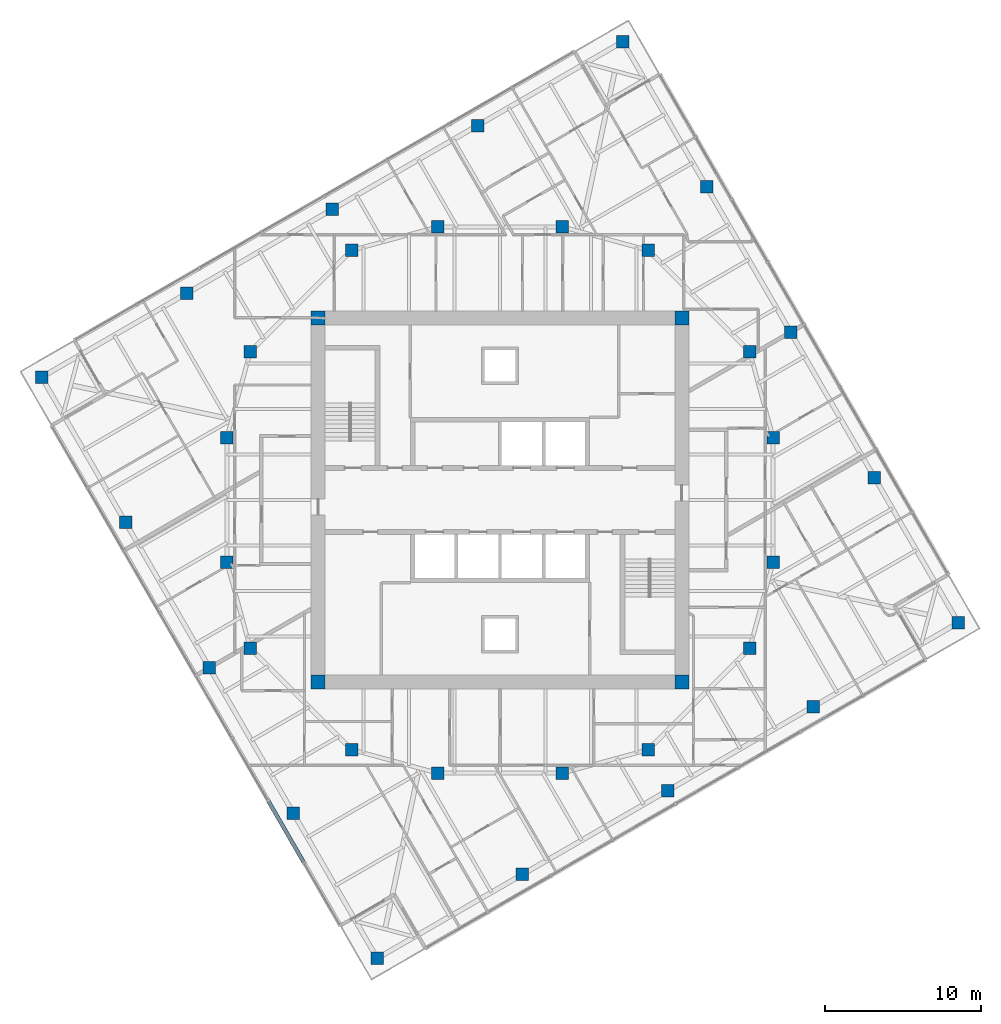
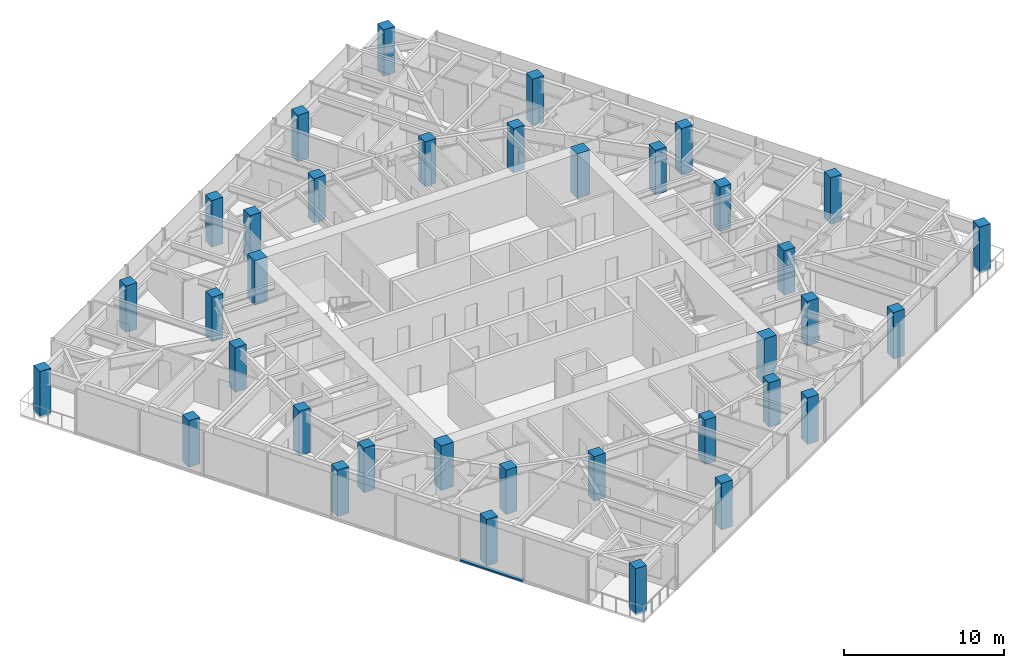
# One storey, part 1 of 13: 36 columns, 1 member, 1 element without a shape of its own.
"""IFC4 building model written with IfcOpenShell, lengths in metres."""

from ifc_helpers import new_model, si_unit, direction, frame, origin, origin_2d, place, context, subcontext, project, spatial, rectangle, extrude, material, material_profile, profile_set, type_object, element, aggregate, save


model = new_model("IFC4")

# Units and contexts
model_context = context("Model", 3, precision=1e-05, world=origin(), true_north=direction((0.0, 1.0)))
body_context = subcontext(model_context, "Body", "Model", "MODEL_VIEW")
ifc_project = project(units=[si_unit("LENGTHUNIT", "METRE"), si_unit("AREAUNIT", "SQUARE_METRE"), si_unit("VOLUMEUNIT", "CUBIC_METRE"), si_unit("PLANEANGLEUNIT", "RADIAN"), si_unit("MASSUNIT", "GRAM", prefix="KILO")], contexts=[model_context])

# Site, building, storey
site_placement = place(None, origin())
site = spatial("IfcSite", under=ifc_project, at=site_placement, CompositionType="ELEMENT")
building_placement = place(site_placement, origin())
building = spatial("IfcBuilding", under=site, at=building_placement, Name="Torsade Residences", CompositionType="ELEMENT")
storey_placement = place(building_placement, frame((0.0, 0.0, 208.199951171875)))
storey = spatial("IfcBuildingStorey", under=building, at=storey_placement, Name="L57", CompositionType="ELEMENT", Elevation=208.199951171875)

# Columns
ifc_material_1 = material(Name="Concrete 80 MPa", Category="concrete")
ifc_material_profile_1 = material_profile(ifc_material_1, rectangle(XDim=0.89990234375, YDim=0.89990234375, at=origin_2d()), Name="RC 900x900")
ifc_profile_set_1 = profile_set([ifc_material_profile_1], Name="Concrete 80 MPa")
column_type_1 = type_object("IfcColumnType", Name="CORE CORNER COLUMN RC 900x900", PredefinedType="COLUMN", material=ifc_profile_set_1)
for number, where, z_axis, x_axis, name in (
    (1, (28.35009765625, 18.35009765625, 0.0), (0.0, 0.0, 1.0), (1.0, 0.0, 0.0), "Core corner column CC1 L57"),
    (2, (51.64990234375, 18.35009765625, 0.0), (0.0, 0.0, 1.0), (1.0, 0.0, 0.0), "Core corner column CC2 L57"),
    (3, (51.64990234375, 41.64990234375, 0.0), (0.0, 0.0, 1.0), (1.0, 0.0, 0.0), "Core corner column CC3 L57"),
    (4, (28.35009765625, 41.64990234375, 0.0), (0.0, 0.0, 1.0), (1.0, 0.0, 0.0), "Core corner column CC4 L57"),
):
    element("IfcColumn", number, at=place(storey_placement, frame(where, z_axis=z_axis, x_axis=x_axis)), inside=storey, type_object=column_type_1, Name=name, PredefinedType="COLUMN", context=body_context, shape_type="SweptSolid", body=[
        extrude(rectangle(XDim=0.89990234375, YDim=0.89990234375, at=origin_2d()), origin(), (0.0, 0.0, 1.0), 3.400146484375),
    ])
ifc_material_2 = material(Name="Concrete 80 MPa", Category="concrete")
ifc_material_profile_2 = material_profile(ifc_material_2, rectangle(XDim=0.800048828125, YDim=0.800048828125, at=origin_2d()), Name="RC 800x800")
ifc_profile_set_2 = profile_set([ifc_material_profile_2], Name="Concrete 80 MPa")
column_type_2 = type_object("IfcColumnType", Name="INNER RING COLUMN RC 800x800", PredefinedType="COLUMN", material=ifc_profile_set_2)
for number, where, z_axis, x_axis, name in (
    (5, (57.5, 26.0, 0.0), (0.0, 0.0, 1.0), (1.0, 0.0, 0.0), "Inner ring column IR01 L57"),
    (6, (57.5, 34.0, 0.0), (0.0, 0.0, 1.0), (1.0, 0.0, 0.0), "Inner ring column IR02 L57"),
    (7, (56.0, 39.5, 0.0), (0.0, 0.0, 1.0), (1.0, 0.0, 0.0), "Inner ring column IR03 L57"),
    (8, (49.5, 46.0, 0.0), (0.0, 0.0, 1.0), (1.0, 0.0, 0.0), "Inner ring column IR04 L57"),
    (9, (44.0, 47.5, 0.0), (0.0, 0.0, 1.0), (1.0, 0.0, 0.0), "Inner ring column IR05 L57"),
    (10, (36.0, 47.5, 0.0), (0.0, 0.0, 1.0), (1.0, 0.0, 0.0), "Inner ring column IR06 L57"),
    (11, (30.5, 46.0, 0.0), (0.0, 0.0, 1.0), (1.0, 0.0, 0.0), "Inner ring column IR07 L57"),
    (12, (24.0, 39.5, 0.0), (0.0, 0.0, 1.0), (1.0, 0.0, 0.0), "Inner ring column IR08 L57"),
    (13, (22.5, 34.0, 0.0), (0.0, 0.0, 1.0), (1.0, 0.0, 0.0), "Inner ring column IR09 L57"),
    (14, (22.5, 26.0, 0.0), (0.0, 0.0, 1.0), (1.0, 0.0, 0.0), "Inner ring column IR10 L57"),
    (15, (24.0, 20.5, 0.0), (0.0, 0.0, 1.0), (1.0, 0.0, 0.0), "Inner ring column IR11 L57"),
    (16, (30.5, 14.0, 0.0), (0.0, 0.0, 1.0), (1.0, 0.0, 0.0), "Inner ring column IR12 L57"),
    (17, (36.0, 12.5, 0.0), (0.0, 0.0, 1.0), (1.0, 0.0, 0.0), "Inner ring column IR13 L57"),
    (18, (44.0, 12.5, 0.0), (0.0, 0.0, 1.0), (1.0, 0.0, 0.0), "Inner ring column IR14 L57"),
    (19, (49.5, 14.0, 0.0), (0.0, 0.0, 1.0), (1.0, 0.0, 0.0), "Inner ring column IR15 L57"),
    (20, (56.0, 20.5, 0.0), (0.0, 0.0, 1.0), (1.0, 0.0, 0.0), "Inner ring column IR16 L57"),
):
    element("IfcColumn", number, at=place(storey_placement, frame(where, z_axis=z_axis, x_axis=x_axis)), inside=storey, type_object=column_type_2, Name=name, PredefinedType="COLUMN", context=body_context, shape_type="SweptSolid", body=[
        extrude(rectangle(XDim=0.800048828125, YDim=0.800048828125, at=origin_2d()), origin(), (0.0, 0.0, 1.0), 3.400146484375),
    ])
ifc_material_3 = material(Name="Concrete 80 MPa", Category="concrete")
ifc_material_profile_3 = material_profile(ifc_material_3, rectangle(XDim=0.800048828125, YDim=0.800048828125, at=origin_2d()), Name="RC 800x800")
ifc_profile_set_3 = profile_set([ifc_material_profile_3], Name="Concrete 80 MPa")
column_type_3 = type_object("IfcColumnType", Name="TOWER COLUMN RC 800x800", PredefinedType="COLUMN", material=ifc_profile_set_3)
for number, where, z_axis, x_axis, name in (
    (21, (32.13037109375, 0.63037109375, -0.14990234375), (0.0, 0.0, 1.0), (1.0, 0.0, 0.0), "Column TC7-01 L57"),
    (22, (41.440185546875, 6.00537109375, -0.14990234375), (0.0, 0.0, 1.0), (1.0, 0.0, 0.0), "Column TC7-02 L57"),
    (23, (50.75, 11.38037109375, -0.14990234375), (0.0, 0.0, 1.0), (1.0, 0.0, 0.0), "Column TC7-03 L57"),
    (24, (60.059814453125, 16.75537109375, -0.14990234375), (0.0, 0.0, 1.0), (1.0, 0.0, 0.0), "Column TC7-04 L57"),
    (25, (69.36962890625, 22.13037109375, -0.14990234375), (0.0, 0.0, 1.0), (1.0, 0.0, 0.0), "Column TC7-05 L57"),
    (26, (63.99462890625, 31.440185546875, -0.14990234375), (0.0, 0.0, 1.0), (1.0, 0.0, 0.0), "Column TC7-06 L57"),
    (27, (58.61962890625, 40.75, -0.14990234375), (0.0, 0.0, 1.0), (1.0, 0.0, 0.0), "Column TC7-07 L57"),
    (28, (53.24462890625, 50.059814453125, -0.14990234375), (0.0, 0.0, 1.0), (1.0, 0.0, 0.0), "Column TC7-08 L57"),
    (29, (47.86962890625, 59.36962890625, -0.14990234375), (0.0, 0.0, 1.0), (1.0, 0.0, 0.0), "Column TC7-09 L57"),
    (30, (38.559814453125, 53.99462890625, -0.14990234375), (0.0, 0.0, 1.0), (1.0, 0.0, 0.0), "Column TC7-10 L57"),
    (31, (29.25, 48.61962890625, -0.14990234375), (0.0, 0.0, 1.0), (1.0, 0.0, 0.0), "Column TC7-11 L57"),
    (32, (19.940185546875, 43.24462890625, -0.14990234375), (0.0, 0.0, 1.0), (1.0, 0.0, 0.0), "Column TC7-12 L57"),
    (33, (10.63037109375, 37.86962890625, -0.14990234375), (0.0, 0.0, 1.0), (1.0, 0.0, 0.0), "Column TC7-13 L57"),
    (34, (16.00537109375, 28.559814453125, -0.14990234375), (0.0, 0.0, 1.0), (1.0, 0.0, 0.0), "Column TC7-14 L57"),
    (35, (21.38037109375, 19.25, -0.14990234375), (0.0, 0.0, 1.0), (1.0, 0.0, 0.0), "Column TC7-15 L57"),
    (36, (26.75537109375, 9.940185546875, -0.14990234375), (0.0, 0.0, 1.0), (1.0, 0.0, 0.0), "Column TC7-16 L57"),
):
    element("IfcColumn", number, at=place(storey_placement, frame(where, z_axis=z_axis, x_axis=x_axis)), inside=storey, type_object=column_type_3, Name=name, PredefinedType="COLUMN", context=body_context, shape_type="SweptSolid", body=[
        extrude(rectangle(XDim=0.800048828125, YDim=0.800048828125, at=origin_2d()), origin(), (0.0, 0.0, 1.0), 3.550048828125),
    ])

# Curtain wall, member
ifc_material_4 = material(Name="Aluminium and glass", Category="aluminium")
curtain_wall_type = type_object("IfcCurtainWallType", Name="FRITTED GLASS CURTAIN WALL HIGH ZONE", PredefinedType="NOTDEFINED", material=ifc_material_4)
curtain_wall_placement = place(storey_placement, origin())
curtain_wall = element("IfcCurtainWall", 37, at=curtain_wall_placement, inside=storey, type_object=curtain_wall_type, Name="Curtain wall L57 face 10", PredefinedType="NOTDEFINED")
ifc_material_5 = material(Name="Aluminium transom", Category="aluminium")
ifc_material_profile_4 = material_profile(ifc_material_5, rectangle(XDim=0.25, YDim=0.1201171875, at=origin_2d()), Name="HIGH ZONE CURTAIN WALL TRANSOM 250x120")
ifc_profile_set_4 = profile_set([ifc_material_profile_4], Name="Aluminium transom")
member_type = type_object("IfcMemberType", Name="HIGH ZONE CURTAIN WALL TRANSOM 250x120", PredefinedType="USERDEFINED", material=ifc_profile_set_4)
member_placement = place(storey_placement, frame((25.164306640625, 10.696044921875, 0.06005859375), z_axis=(0.500015112013, -0.866016678684, 0.0), x_axis=(0.866016678684, 0.500015112013, 0.0)))
member = element("IfcMember", 38, at=member_placement, type_object=member_type, Name="Transom 7.1", ObjectType="TRANSOM", PredefinedType="USERDEFINED", context=body_context, shape_type="SweptSolid", body=[
    extrude(rectangle(XDim=0.25, YDim=0.1201171875, at=origin_2d()), origin(), (0.0, 0.0, 1.0), 4.525146484375),
])
aggregate(curtain_wall, [member])

save(model, "model.ifc")
